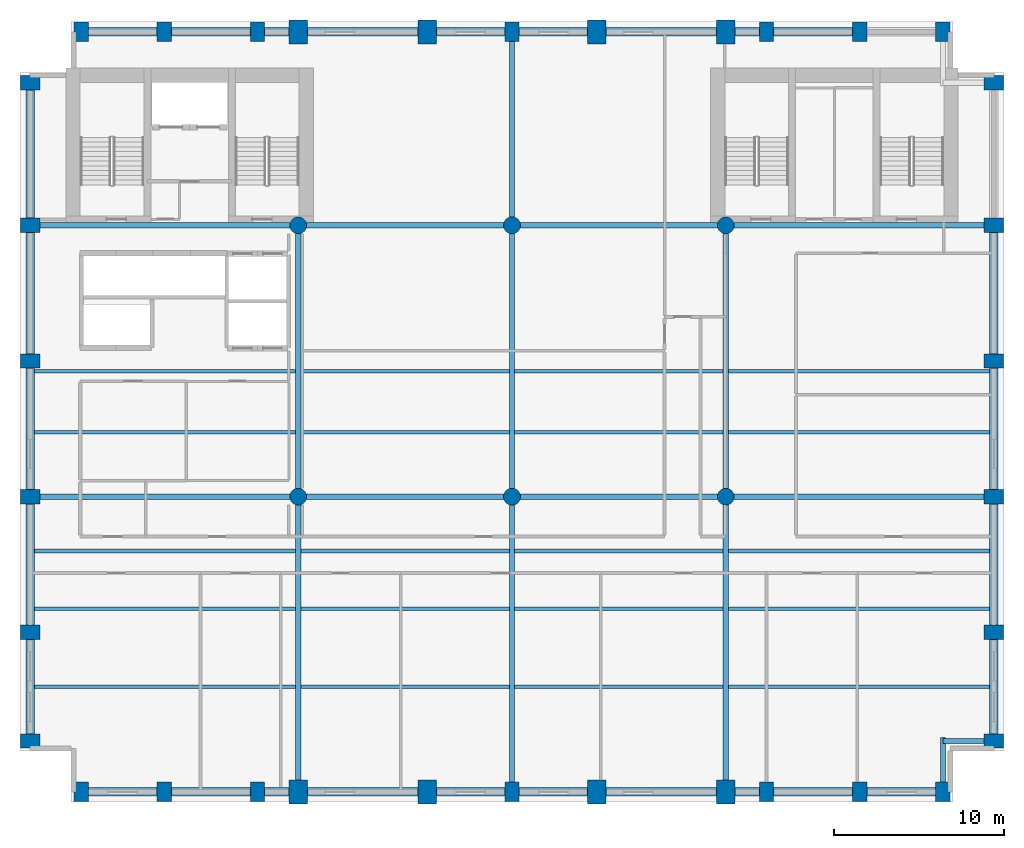
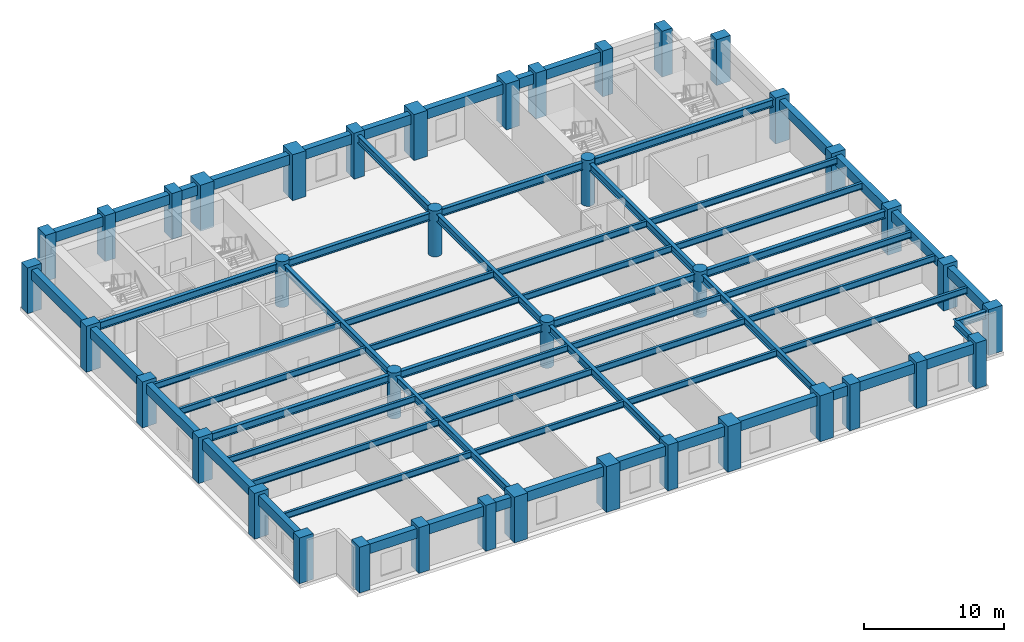
# One storey, part 1 of 8: 65 beams, 40 columns.
"""IFC4 building model written with IfcOpenShell, lengths in metres."""

from ifc_helpers import new_model, si_unit, direction, frame, origin, origin_2d, place, context, subcontext, project, spatial, rectangle, circle, i_section, extrude, material, material_profile, profile_set, type_object, element, save


model = new_model("IFC4")

# Units and contexts
model_context = context("Model", 3, precision=1e-05, world=origin(), true_north=direction((0.0, 1.0)))
body_context = subcontext(model_context, "Body", "Model", "MODEL_VIEW")
ifc_project = project(units=[si_unit("LENGTHUNIT", "METRE"), si_unit("AREAUNIT", "SQUARE_METRE"), si_unit("VOLUMEUNIT", "CUBIC_METRE"), si_unit("PLANEANGLEUNIT", "RADIAN"), si_unit("MASSUNIT", "GRAM", prefix="KILO")], contexts=[model_context])

# Site, building, storey
site_placement = place(None, origin())
site = spatial("IfcSite", under=ifc_project, at=site_placement, CompositionType="ELEMENT")
building_placement = place(site_placement, origin())
building = spatial("IfcBuilding", under=site, at=building_placement, Name="Sulina Concourse Tower", CompositionType="ELEMENT")
storey_placement = place(building_placement, frame((0.0, 0.0, 128.60009765625)))
storey = spatial("IfcBuildingStorey", under=building, at=storey_placement, Name="L31", CompositionType="ELEMENT", Elevation=128.60009765625)

# Columns
ifc_material_1 = material(Name="Concrete C60/75", Category="concrete")
ifc_material_profile_1 = material_profile(ifc_material_1, circle(Radius=0.5, at=origin_2d()), Name="RC D1000")
ifc_profile_set_1 = profile_set([ifc_material_profile_1], Name="Concrete C60/75")
column_type_1 = type_object("IfcColumnType", Name="Lower Interior Circular Column D1000", PredefinedType="COLUMN", material=ifc_profile_set_1)
for number, where, z_axis, x_axis, name in (
    (1, (16.39990234375, 18.0, 0.0), (0.0, 0.0, 1.0), (1.0, 0.0, 0.0), "L31 structural column IC-M-164"),
    (2, (16.39990234375, 34.0, 0.0), (0.0, 0.0, 1.0), (1.0, 0.0, 0.0), "L31 structural column IC-N-164"),
    (3, (29.0, 18.0, 0.0), (0.0, 0.0, 1.0), (1.0, 0.0, 0.0), "L31 structural column IC-M-290"),
    (4, (29.0, 34.0, 0.0), (0.0, 0.0, 1.0), (1.0, 0.0, 0.0), "L31 structural column IC-N-290"),
    (5, (41.60009765625, 18.0, 0.0), (0.0, 0.0, 1.0), (1.0, 0.0, 0.0), "L31 structural column IC-M-416"),
    (6, (41.60009765625, 34.0, 0.0), (0.0, 0.0, 1.0), (1.0, 0.0, 0.0), "L31 structural column IC-N-416"),
):
    element("IfcColumn", number, at=place(storey_placement, frame(where, z_axis=z_axis, x_axis=x_axis)), inside=storey, type_object=column_type_1, Name=name, PredefinedType="COLUMN", context=body_context, shape_type="SweptSolid", body=[
        extrude(circle(Radius=0.5, at=origin_2d()), origin(), (0.0, 0.0, 1.0), 4.0),
    ])
ifc_material_2 = material(Name="Concrete C60/75", Category="concrete")
ifc_material_profile_2 = material_profile(ifc_material_2, rectangle(XDim=1.10009765625, YDim=1.39990234375, at=origin_2d()), Name="RC 1100x1400")
ifc_profile_set_2 = profile_set([ifc_material_profile_2], Name="Concrete C60/75")
column_type_2 = type_object("IfcColumnType", Name="Mid-Rise Portal Column 1100x1400", PredefinedType="COLUMN", material=ifc_profile_set_2)
for number, where, z_axis, x_axis, name in (
    (7, (16.39990234375, 0.60009765625, 0.0), (0.0, 0.0, 1.0), (1.0, 0.0, 0.0), "L31 structural column TP-S-164"),
    (8, (16.39990234375, 45.39990234375, 0.0), (0.0, 0.0, 1.0), (1.0, 0.0, 0.0), "L31 structural column TP-N-164"),
    (9, (24.0, 0.60009765625, 0.0), (0.0, 0.0, 1.0), (1.0, 0.0, 0.0), "L31 structural column TP-S-240"),
    (10, (24.0, 45.39990234375, 0.0), (0.0, 0.0, 1.0), (1.0, 0.0, 0.0), "L31 structural column TP-N-240"),
    (11, (34.0, 0.60009765625, 0.0), (0.0, 0.0, 1.0), (1.0, 0.0, 0.0), "L31 structural column TP-S-340"),
    (12, (34.0, 45.39990234375, 0.0), (0.0, 0.0, 1.0), (1.0, 0.0, 0.0), "L31 structural column TP-N-340"),
    (13, (41.60009765625, 0.60009765625, 0.0), (0.0, 0.0, 1.0), (1.0, 0.0, 0.0), "L31 structural column TP-S-416"),
    (14, (41.60009765625, 45.39990234375, 0.0), (0.0, 0.0, 1.0), (1.0, 0.0, 0.0), "L31 structural column TP-N-416"),
):
    element("IfcColumn", number, at=place(storey_placement, frame(where, z_axis=z_axis, x_axis=x_axis)), inside=storey, type_object=column_type_2, Name=name, PredefinedType="COLUMN", context=body_context, shape_type="SweptSolid", body=[
        extrude(rectangle(XDim=1.10009765625, YDim=1.39990234375, at=origin_2d()), origin(), (0.0, 0.0, 1.0), 4.0),
    ])
ifc_material_3 = material(Name="Precast concrete C60/75", Category="concrete")
ifc_material_profile_3 = material_profile(ifc_material_3, rectangle(XDim=0.85009765625, YDim=1.14990234375, at=origin_2d()), Name="PC 850x1150")
ifc_profile_set_3 = profile_set([ifc_material_profile_3], Name="Precast concrete C60/75")
column_type_3 = type_object("IfcColumnType", Name="Precast Tube Pier Zone 2 850x1150", PredefinedType="COLUMN", material=ifc_profile_set_3)
for number, where, z_axis, x_axis, name in (
    (15, (3.60009765625, 0.60009765625, 0.0), (0.0, 0.0, 1.0), (1.0, 0.0, 0.0), "L31 structural column TP-S-36"),
    (16, (3.60009765625, 45.39990234375, 0.0), (0.0, 0.0, 1.0), (1.0, 0.0, 0.0), "L31 structural column TP-N-36"),
    (17, (8.5, 0.60009765625, 0.0), (0.0, 0.0, 1.0), (1.0, 0.0, 0.0), "L31 structural column TP-S-85"),
    (18, (8.5, 45.39990234375, 0.0), (0.0, 0.0, 1.0), (1.0, 0.0, 0.0), "L31 structural column TP-N-85"),
    (19, (14.0, 0.60009765625, 0.0), (0.0, 0.0, 1.0), (1.0, 0.0, 0.0), "L31 structural column TP-S-140"),
    (20, (14.0, 45.39990234375, 0.0), (0.0, 0.0, 1.0), (1.0, 0.0, 0.0), "L31 structural column TP-N-140"),
    (21, (29.0, 0.60009765625, 0.0), (0.0, 0.0, 1.0), (1.0, 0.0, 0.0), "L31 structural column TP-S-290"),
    (22, (29.0, 45.39990234375, 0.0), (0.0, 0.0, 1.0), (1.0, 0.0, 0.0), "L31 structural column TP-N-290"),
    (23, (44.0, 0.60009765625, 0.0), (0.0, 0.0, 1.0), (1.0, 0.0, 0.0), "L31 structural column TP-S-440"),
    (24, (44.0, 45.39990234375, 0.0), (0.0, 0.0, 1.0), (1.0, 0.0, 0.0), "L31 structural column TP-N-440"),
    (25, (49.5, 0.60009765625, 0.0), (0.0, 0.0, 1.0), (1.0, 0.0, 0.0), "L31 structural column TP-S-495"),
    (26, (49.5, 45.39990234375, 0.0), (0.0, 0.0, 1.0), (1.0, 0.0, 0.0), "L31 structural column TP-N-495"),
    (27, (54.39990234375, 0.60009765625, 0.0), (0.0, 0.0, 1.0), (1.0, 0.0, 0.0), "L31 structural column TP-S-544"),
    (28, (54.39990234375, 45.39990234375, 0.0), (0.0, 0.0, 1.0), (1.0, 0.0, 0.0), "L31 structural column TP-N-544"),
    (29, (0.60009765625, 3.60009765625, 0.0), (0.0, 0.0, 1.0), (0.0, 1.0, 0.0), "L31 structural column TP-W-36"),
    (30, (57.39990234375, 3.60009765625, 0.0), (0.0, 0.0, 1.0), (0.0, 1.0, 0.0), "L31 structural column TP-E-36"),
    (31, (0.60009765625, 10.0, 0.0), (0.0, 0.0, 1.0), (0.0, 1.0, 0.0), "L31 structural column TP-W-100"),
    (32, (57.39990234375, 10.0, 0.0), (0.0, 0.0, 1.0), (0.0, 1.0, 0.0), "L31 structural column TP-E-100"),
    (33, (0.60009765625, 18.0, 0.0), (0.0, 0.0, 1.0), (0.0, 1.0, 0.0), "L31 structural column TP-W-180"),
    (34, (57.39990234375, 18.0, 0.0), (0.0, 0.0, 1.0), (0.0, 1.0, 0.0), "L31 structural column TP-E-180"),
    (35, (0.60009765625, 26.0, 0.0), (0.0, 0.0, 1.0), (0.0, 1.0, 0.0), "L31 structural column TP-W-260"),
    (36, (57.39990234375, 26.0, 0.0), (0.0, 0.0, 1.0), (0.0, 1.0, 0.0), "L31 structural column TP-E-260"),
    (37, (0.60009765625, 34.0, 0.0), (0.0, 0.0, 1.0), (0.0, 1.0, 0.0), "L31 structural column TP-W-340"),
    (38, (57.39990234375, 34.0, 0.0), (0.0, 0.0, 1.0), (0.0, 1.0, 0.0), "L31 structural column TP-E-340"),
    (39, (0.60009765625, 42.39990234375, 0.0), (0.0, 0.0, 1.0), (0.0, 1.0, 0.0), "L31 structural column TP-W-424"),
    (40, (57.39990234375, 42.39990234375, 0.0), (0.0, 0.0, 1.0), (0.0, 1.0, 0.0), "L31 structural column TP-E-424"),
):
    element("IfcColumn", number, at=place(storey_placement, frame(where, z_axis=z_axis, x_axis=x_axis)), inside=storey, type_object=column_type_3, Name=name, PredefinedType="COLUMN", context=body_context, shape_type="SweptSolid", body=[
        extrude(rectangle(XDim=0.85009765625, YDim=1.14990234375, at=origin_2d()), origin(), (0.0, 0.0, 1.0), 4.0),
    ])

# Beams
ifc_material_4 = material(Name="Steel S355", Category="steel")
ifc_material_profile_4 = material_profile(ifc_material_4, i_section(OverallWidth=0.2099609375, OverallDepth=0.550048828125, WebThickness=0.010986328125, FlangeThickness=0.01708984375, at=origin_2d()), Name="IPE 550")
ifc_profile_set_4 = profile_set([ifc_material_profile_4], Name="Steel S355")
beam_type_1 = type_object("IfcBeamType", Name="Composite Floor Joist IPE550", PredefinedType="JOIST", material=ifc_profile_set_4)
beam_1_placement = place(storey_placement, frame((0.85009765625, 6.800048828125, 3.449951171875), z_axis=(1.0, 0.0, 0.0), x_axis=(0.0, 1.0, 0.0)))
element("IfcBeam", 41, at=beam_1_placement, inside=storey, type_object=beam_type_1, Name="FJ-J06-1-L31", PredefinedType="JOIST", context=body_context, shape_type="SweptSolid", body=[
    extrude(i_section(OverallWidth=0.2099609375, OverallDepth=0.550048828125, WebThickness=0.010986328125, FlangeThickness=0.01708984375, at=origin_2d()), origin(), (0.0, 0.0, 1.0), 15.39990234375),
])
for number, where, z_axis, x_axis, name in (
    (42, (16.550048828125, 6.800048828125, 3.449951171875), (1.0, 0.0, 0.0), (0.0, 1.0, 0.0), "FJ-J06-2-L31"),
    (43, (29.14990234375, 6.800048828125, 3.449951171875), (1.0, 0.0, 0.0), (0.0, 1.0, 0.0), "FJ-J06-3-L31"),
):
    element("IfcBeam", number, at=place(storey_placement, frame(where, z_axis=z_axis, x_axis=x_axis)), inside=storey, type_object=beam_type_1, Name=name, PredefinedType="JOIST", context=body_context, shape_type="SweptSolid", body=[
        extrude(i_section(OverallWidth=0.2099609375, OverallDepth=0.550048828125, WebThickness=0.010986328125, FlangeThickness=0.01708984375, at=origin_2d()), origin(), (0.0, 0.0, 1.0), 12.300048828125),
    ])
for number, where, z_axis, x_axis, name in (
    (44, (41.75, 6.800048828125, 3.449951171875), (1.0, 0.0, 0.0), (0.0, 1.0, 0.0), "FJ-J06-4-L31"),
    (45, (0.85009765625, 11.39990234375, 3.449951171875), (1.0, 0.0, 0.0), (0.0, 1.0, 0.0), "FJ-J11-1-L31"),
):
    element("IfcBeam", number, at=place(storey_placement, frame(where, z_axis=z_axis, x_axis=x_axis)), inside=storey, type_object=beam_type_1, Name=name, PredefinedType="JOIST", context=body_context, shape_type="SweptSolid", body=[
        extrude(i_section(OverallWidth=0.2099609375, OverallDepth=0.550048828125, WebThickness=0.010986328125, FlangeThickness=0.01708984375, at=origin_2d()), origin(), (0.0, 0.0, 1.0), 15.39990234375),
    ])
for number, where, z_axis, x_axis, name in (
    (46, (16.550048828125, 11.39990234375, 3.449951171875), (1.0, 0.0, 0.0), (0.0, 1.0, 0.0), "FJ-J11-2-L31"),
    (47, (29.14990234375, 11.39990234375, 3.449951171875), (1.0, 0.0, 0.0), (0.0, 1.0, 0.0), "FJ-J11-3-L31"),
):
    element("IfcBeam", number, at=place(storey_placement, frame(where, z_axis=z_axis, x_axis=x_axis)), inside=storey, type_object=beam_type_1, Name=name, PredefinedType="JOIST", context=body_context, shape_type="SweptSolid", body=[
        extrude(i_section(OverallWidth=0.2099609375, OverallDepth=0.550048828125, WebThickness=0.010986328125, FlangeThickness=0.01708984375, at=origin_2d()), origin(), (0.0, 0.0, 1.0), 12.300048828125),
    ])
for number, where, z_axis, x_axis, name in (
    (48, (41.75, 11.39990234375, 3.449951171875), (1.0, 0.0, 0.0), (0.0, 1.0, 0.0), "FJ-J11-4-L31"),
    (49, (0.85009765625, 14.800048828125, 3.449951171875), (1.0, 0.0, 0.0), (0.0, 1.0, 0.0), "FJ-J15-1-L31"),
):
    element("IfcBeam", number, at=place(storey_placement, frame(where, z_axis=z_axis, x_axis=x_axis)), inside=storey, type_object=beam_type_1, Name=name, PredefinedType="JOIST", context=body_context, shape_type="SweptSolid", body=[
        extrude(i_section(OverallWidth=0.2099609375, OverallDepth=0.550048828125, WebThickness=0.010986328125, FlangeThickness=0.01708984375, at=origin_2d()), origin(), (0.0, 0.0, 1.0), 15.39990234375),
    ])
for number, where, z_axis, x_axis, name in (
    (50, (16.550048828125, 14.800048828125, 3.449951171875), (1.0, 0.0, 0.0), (0.0, 1.0, 0.0), "FJ-J15-2-L31"),
    (51, (29.14990234375, 14.800048828125, 3.449951171875), (1.0, 0.0, 0.0), (0.0, 1.0, 0.0), "FJ-J15-3-L31"),
):
    element("IfcBeam", number, at=place(storey_placement, frame(where, z_axis=z_axis, x_axis=x_axis)), inside=storey, type_object=beam_type_1, Name=name, PredefinedType="JOIST", context=body_context, shape_type="SweptSolid", body=[
        extrude(i_section(OverallWidth=0.2099609375, OverallDepth=0.550048828125, WebThickness=0.010986328125, FlangeThickness=0.01708984375, at=origin_2d()), origin(), (0.0, 0.0, 1.0), 12.300048828125),
    ])
for number, where, z_axis, x_axis, name in (
    (52, (41.75, 14.800048828125, 3.449951171875), (1.0, 0.0, 0.0), (0.0, 1.0, 0.0), "FJ-J15-4-L31"),
    (53, (0.85009765625, 21.800048828125, 3.449951171875), (1.0, 0.0, 0.0), (0.0, 1.0, 0.0), "FJ-J22-1-L31"),
):
    element("IfcBeam", number, at=place(storey_placement, frame(where, z_axis=z_axis, x_axis=x_axis)), inside=storey, type_object=beam_type_1, Name=name, PredefinedType="JOIST", context=body_context, shape_type="SweptSolid", body=[
        extrude(i_section(OverallWidth=0.2099609375, OverallDepth=0.550048828125, WebThickness=0.010986328125, FlangeThickness=0.01708984375, at=origin_2d()), origin(), (0.0, 0.0, 1.0), 15.39990234375),
    ])
for number, where, z_axis, x_axis, name in (
    (54, (16.550048828125, 21.800048828125, 3.449951171875), (1.0, 0.0, 0.0), (0.0, 1.0, 0.0), "FJ-J22-2-L31"),
    (55, (29.14990234375, 21.800048828125, 3.449951171875), (1.0, 0.0, 0.0), (0.0, 1.0, 0.0), "FJ-J22-3-L31"),
):
    element("IfcBeam", number, at=place(storey_placement, frame(where, z_axis=z_axis, x_axis=x_axis)), inside=storey, type_object=beam_type_1, Name=name, PredefinedType="JOIST", context=body_context, shape_type="SweptSolid", body=[
        extrude(i_section(OverallWidth=0.2099609375, OverallDepth=0.550048828125, WebThickness=0.010986328125, FlangeThickness=0.01708984375, at=origin_2d()), origin(), (0.0, 0.0, 1.0), 12.300048828125),
    ])
for number, where, z_axis, x_axis, name in (
    (56, (41.75, 21.800048828125, 3.449951171875), (1.0, 0.0, 0.0), (0.0, 1.0, 0.0), "FJ-J22-4-L31"),
    (57, (0.85009765625, 25.39990234375, 3.449951171875), (1.0, 0.0, 0.0), (0.0, 1.0, 0.0), "FJ-J25-1-L31"),
):
    element("IfcBeam", number, at=place(storey_placement, frame(where, z_axis=z_axis, x_axis=x_axis)), inside=storey, type_object=beam_type_1, Name=name, PredefinedType="JOIST", context=body_context, shape_type="SweptSolid", body=[
        extrude(i_section(OverallWidth=0.2099609375, OverallDepth=0.550048828125, WebThickness=0.010986328125, FlangeThickness=0.01708984375, at=origin_2d()), origin(), (0.0, 0.0, 1.0), 15.39990234375),
    ])
for number, where, z_axis, x_axis, name in (
    (58, (16.550048828125, 25.39990234375, 3.449951171875), (1.0, 0.0, 0.0), (0.0, 1.0, 0.0), "FJ-J25-2-L31"),
    (59, (29.14990234375, 25.39990234375, 3.449951171875), (1.0, 0.0, 0.0), (0.0, 1.0, 0.0), "FJ-J25-3-L31"),
):
    element("IfcBeam", number, at=place(storey_placement, frame(where, z_axis=z_axis, x_axis=x_axis)), inside=storey, type_object=beam_type_1, Name=name, PredefinedType="JOIST", context=body_context, shape_type="SweptSolid", body=[
        extrude(i_section(OverallWidth=0.2099609375, OverallDepth=0.550048828125, WebThickness=0.010986328125, FlangeThickness=0.01708984375, at=origin_2d()), origin(), (0.0, 0.0, 1.0), 12.300048828125),
    ])
beam_2_placement = place(storey_placement, frame((41.75, 25.39990234375, 3.449951171875), z_axis=(1.0, 0.0, 0.0), x_axis=(0.0, 1.0, 0.0)))
element("IfcBeam", 60, at=beam_2_placement, inside=storey, type_object=beam_type_1, Name="FJ-J25-4-L31", PredefinedType="JOIST", context=body_context, shape_type="SweptSolid", body=[
    extrude(i_section(OverallWidth=0.2099609375, OverallDepth=0.550048828125, WebThickness=0.010986328125, FlangeThickness=0.01708984375, at=origin_2d()), origin(), (0.0, 0.0, 1.0), 15.39990234375),
])
ifc_material_5 = material(Name="Steel S355", Category="steel")
ifc_material_profile_5 = material_profile(ifc_material_5, i_section(OverallWidth=0.300048828125, OverallDepth=0.64990234375, WebThickness=0.01611328125, FlangeThickness=0.031005859375, at=origin_2d()), Name="HE 650 B")
ifc_profile_set_5 = profile_set([ifc_material_profile_5], Name="Steel S355")
beam_type_2 = type_object("IfcBeamType", Name="Floor Primary Girder Zone 2 HE650B", PredefinedType="BEAM", material=ifc_profile_set_5)
beam_3_placement = place(storey_placement, frame((54.39990234375, 3.60009765625, 3.39990234375), z_axis=(1.0, 0.0, 0.0), x_axis=(0.0, 1.0, 0.0)))
element("IfcBeam", 61, at=beam_3_placement, inside=storey, type_object=beam_type_2, Name="TIE-SE-L31", PredefinedType="BEAM", context=body_context, shape_type="SweptSolid", body=[
    extrude(i_section(OverallWidth=0.300048828125, OverallDepth=0.64990234375, WebThickness=0.01611328125, FlangeThickness=0.031005859375, at=origin_2d()), origin(), (0.0, 0.0, 1.0), 2.59521484375),
])
beam_4_placement = place(storey_placement, frame((54.39990234375, 1.0048828125, 3.39990234375), z_axis=(0.0, 1.0, 0.0), x_axis=(-1.0, 0.0, 0.0)))
element("IfcBeam", 62, at=beam_4_placement, inside=storey, type_object=beam_type_2, Name="TIE-SES-L31", PredefinedType="BEAM", context=body_context, shape_type="SweptSolid", body=[
    extrude(i_section(OverallWidth=0.300048828125, OverallDepth=0.64990234375, WebThickness=0.01611328125, FlangeThickness=0.031005859375, at=origin_2d()), origin(), (0.0, 0.0, 1.0), 2.795166015625),
])
beam_5_placement = place(storey_placement, frame((1.0048828125, 18.0, 3.39990234375), z_axis=(1.0, 0.0, 0.0), x_axis=(0.0, 1.0, 0.0)))
element("IfcBeam", 63, at=beam_5_placement, inside=storey, type_object=beam_type_2, Name="FG-EW1-L31", PredefinedType="BEAM", context=body_context, shape_type="SweptSolid", body=[
    extrude(i_section(OverallWidth=0.300048828125, OverallDepth=0.64990234375, WebThickness=0.01611328125, FlangeThickness=0.031005859375, at=origin_2d()), origin(), (0.0, 0.0, 1.0), 14.9150390625),
])
for number, where, z_axis, x_axis, name in (
    (64, (16.8798828125, 18.0, 3.39990234375), (1.0, 0.0, 0.0), (0.0, 1.0, 0.0), "FG-EW2-L31"),
    (65, (29.47998046875, 18.0, 3.39990234375), (1.0, 0.0, 0.0), (0.0, 1.0, 0.0), "FG-EW3-L31"),
):
    element("IfcBeam", number, at=place(storey_placement, frame(where, z_axis=z_axis, x_axis=x_axis)), inside=storey, type_object=beam_type_2, Name=name, PredefinedType="BEAM", context=body_context, shape_type="SweptSolid", body=[
        extrude(i_section(OverallWidth=0.300048828125, OverallDepth=0.64990234375, WebThickness=0.01611328125, FlangeThickness=0.031005859375, at=origin_2d()), origin(), (0.0, 0.0, 1.0), 11.64013671875),
    ])
for number, where, z_axis, x_axis, name in (
    (66, (42.080078125, 18.0, 3.39990234375), (1.0, 0.0, 0.0), (0.0, 1.0, 0.0), "FG-EW4-L31"),
    (67, (1.0048828125, 34.0, 3.39990234375), (1.0, 0.0, 0.0), (0.0, 1.0, 0.0), "FG-EWN1-L31"),
):
    element("IfcBeam", number, at=place(storey_placement, frame(where, z_axis=z_axis, x_axis=x_axis)), inside=storey, type_object=beam_type_2, Name=name, PredefinedType="BEAM", context=body_context, shape_type="SweptSolid", body=[
        extrude(i_section(OverallWidth=0.300048828125, OverallDepth=0.64990234375, WebThickness=0.01611328125, FlangeThickness=0.031005859375, at=origin_2d()), origin(), (0.0, 0.0, 1.0), 14.9150390625),
    ])
for number, where, z_axis, x_axis, name in (
    (68, (16.8798828125, 34.0, 3.39990234375), (1.0, 0.0, 0.0), (0.0, 1.0, 0.0), "FG-EWN2-L31"),
    (69, (29.47998046875, 34.0, 3.39990234375), (1.0, 0.0, 0.0), (0.0, 1.0, 0.0), "FG-EWN3-L31"),
):
    element("IfcBeam", number, at=place(storey_placement, frame(where, z_axis=z_axis, x_axis=x_axis)), inside=storey, type_object=beam_type_2, Name=name, PredefinedType="BEAM", context=body_context, shape_type="SweptSolid", body=[
        extrude(i_section(OverallWidth=0.300048828125, OverallDepth=0.64990234375, WebThickness=0.01611328125, FlangeThickness=0.031005859375, at=origin_2d()), origin(), (0.0, 0.0, 1.0), 11.64013671875),
    ])
beam_6_placement = place(storey_placement, frame((42.080078125, 34.0, 3.39990234375), z_axis=(1.0, 0.0, 0.0), x_axis=(0.0, 1.0, 0.0)))
element("IfcBeam", 70, at=beam_6_placement, inside=storey, type_object=beam_type_2, Name="FG-EWN4-L31", PredefinedType="BEAM", context=body_context, shape_type="SweptSolid", body=[
    extrude(i_section(OverallWidth=0.300048828125, OverallDepth=0.64990234375, WebThickness=0.01611328125, FlangeThickness=0.031005859375, at=origin_2d()), origin(), (0.0, 0.0, 1.0), 14.9150390625),
])
beam_7_placement = place(storey_placement, frame((16.39990234375, 1.1298828125, 3.39990234375), z_axis=(0.0, 1.0, 0.0), x_axis=(-1.0, 0.0, 0.0)))
element("IfcBeam", 71, at=beam_7_placement, inside=storey, type_object=beam_type_2, Name="FG-NSA-16-L31", PredefinedType="BEAM", context=body_context, shape_type="SweptSolid", body=[
    extrude(i_section(OverallWidth=0.300048828125, OverallDepth=0.64990234375, WebThickness=0.01611328125, FlangeThickness=0.031005859375, at=origin_2d()), origin(), (0.0, 0.0, 1.0), 16.39013671875),
])
beam_8_placement = place(storey_placement, frame((16.39990234375, 18.47998046875, 3.39990234375), z_axis=(0.0, 1.0, 0.0), x_axis=(-1.0, 0.0, 0.0)))
element("IfcBeam", 72, at=beam_8_placement, inside=storey, type_object=beam_type_2, Name="FG-NSB-16-L31", PredefinedType="BEAM", context=body_context, shape_type="SweptSolid", body=[
    extrude(i_section(OverallWidth=0.300048828125, OverallDepth=0.64990234375, WebThickness=0.01611328125, FlangeThickness=0.031005859375, at=origin_2d()), origin(), (0.0, 0.0, 1.0), 15.0400390625),
])
beam_9_placement = place(storey_placement, frame((29.0, 1.0048828125, 3.39990234375), z_axis=(0.0, 1.0, 0.0), x_axis=(-1.0, 0.0, 0.0)))
element("IfcBeam", 73, at=beam_9_placement, inside=storey, type_object=beam_type_2, Name="FG-NSA-29-L31", PredefinedType="BEAM", context=body_context, shape_type="SweptSolid", body=[
    extrude(i_section(OverallWidth=0.300048828125, OverallDepth=0.64990234375, WebThickness=0.01611328125, FlangeThickness=0.031005859375, at=origin_2d()), origin(), (0.0, 0.0, 1.0), 16.51513671875),
])
beam_10_placement = place(storey_placement, frame((29.0, 18.47998046875, 3.39990234375), z_axis=(0.0, 1.0, 0.0), x_axis=(-1.0, 0.0, 0.0)))
element("IfcBeam", 74, at=beam_10_placement, inside=storey, type_object=beam_type_2, Name="FG-NSB-29-L31", PredefinedType="BEAM", context=body_context, shape_type="SweptSolid", body=[
    extrude(i_section(OverallWidth=0.300048828125, OverallDepth=0.64990234375, WebThickness=0.01611328125, FlangeThickness=0.031005859375, at=origin_2d()), origin(), (0.0, 0.0, 1.0), 15.0400390625),
])
beam_11_placement = place(storey_placement, frame((29.0, 34.47998046875, 3.39990234375), z_axis=(0.0, 1.0, 0.0), x_axis=(-1.0, 0.0, 0.0)))
element("IfcBeam", 75, at=beam_11_placement, inside=storey, type_object=beam_type_2, Name="FG-NSC-29-L31", PredefinedType="BEAM", context=body_context, shape_type="SweptSolid", body=[
    extrude(i_section(OverallWidth=0.300048828125, OverallDepth=0.64990234375, WebThickness=0.01611328125, FlangeThickness=0.031005859375, at=origin_2d()), origin(), (0.0, 0.0, 1.0), 10.51513671875),
])
beam_12_placement = place(storey_placement, frame((41.60009765625, 1.1298828125, 3.39990234375), z_axis=(0.0, 1.0, 0.0), x_axis=(-1.0, 0.0, 0.0)))
element("IfcBeam", 76, at=beam_12_placement, inside=storey, type_object=beam_type_2, Name="FG-NSA-41-L31", PredefinedType="BEAM", context=body_context, shape_type="SweptSolid", body=[
    extrude(i_section(OverallWidth=0.300048828125, OverallDepth=0.64990234375, WebThickness=0.01611328125, FlangeThickness=0.031005859375, at=origin_2d()), origin(), (0.0, 0.0, 1.0), 16.39013671875),
])
beam_13_placement = place(storey_placement, frame((41.60009765625, 18.47998046875, 3.39990234375), z_axis=(0.0, 1.0, 0.0), x_axis=(-1.0, 0.0, 0.0)))
element("IfcBeam", 77, at=beam_13_placement, inside=storey, type_object=beam_type_2, Name="FG-NSB-41-L31", PredefinedType="BEAM", context=body_context, shape_type="SweptSolid", body=[
    extrude(i_section(OverallWidth=0.300048828125, OverallDepth=0.64990234375, WebThickness=0.01611328125, FlangeThickness=0.031005859375, at=origin_2d()), origin(), (0.0, 0.0, 1.0), 15.0400390625),
])
ifc_material_6 = material(Name="Precast concrete C50/60", Category="concrete")
ifc_material_profile_6 = material_profile(ifc_material_6, rectangle(XDim=0.5, YDim=0.85009765625, at=origin_2d()), Name="RC 500x850")
ifc_profile_set_6 = profile_set([ifc_material_profile_6], Name="Precast concrete C50/60")
beam_type_3 = type_object("IfcBeamType", Name="Lower Precast Spandrel Edge Beam 500x850", PredefinedType="BEAM", material=ifc_profile_set_6)
beam_14_placement = place(storey_placement, frame((4.0048828125, 0.60009765625, 3.2998046875), z_axis=(1.0, 0.0, 0.0), x_axis=(0.0, 1.0, 0.0)))
element("IfcBeam", 78, at=beam_14_placement, inside=storey, type_object=beam_type_3, Name="SP-S1-L31", PredefinedType="BEAM", context=body_context, shape_type="SweptSolid", body=[
    extrude(rectangle(XDim=0.5, YDim=0.85009765625, at=origin_2d()), origin(), (0.0, 0.0, 1.0), 4.090087890625),
])
beam_15_placement = place(storey_placement, frame((8.905029296875, 0.60009765625, 3.2998046875), z_axis=(1.0, 0.0, 0.0), x_axis=(0.0, 1.0, 0.0)))
element("IfcBeam", 79, at=beam_15_placement, inside=storey, type_object=beam_type_3, Name="SP-S2-L31", PredefinedType="BEAM", context=body_context, shape_type="SweptSolid", body=[
    extrude(rectangle(XDim=0.5, YDim=0.85009765625, at=origin_2d()), origin(), (0.0, 0.0, 1.0), 4.68994140625),
])
beam_16_placement = place(storey_placement, frame((14.405029296875, 0.60009765625, 3.2998046875), z_axis=(1.0, 0.0, 0.0), x_axis=(0.0, 1.0, 0.0)))
element("IfcBeam", 80, at=beam_16_placement, inside=storey, type_object=beam_type_3, Name="SP-S3-L31", PredefinedType="BEAM", context=body_context, shape_type="SweptSolid", body=[
    extrude(rectangle(XDim=0.5, YDim=0.85009765625, at=origin_2d()), origin(), (0.0, 0.0, 1.0), 1.465087890625),
])
beam_17_placement = place(storey_placement, frame((16.929931640625, 0.60009765625, 3.2998046875), z_axis=(1.0, 0.0, 0.0), x_axis=(0.0, 1.0, 0.0)))
element("IfcBeam", 81, at=beam_17_placement, inside=storey, type_object=beam_type_3, Name="SP-S4-L31", PredefinedType="BEAM", context=body_context, shape_type="SweptSolid", body=[
    extrude(rectangle(XDim=0.5, YDim=0.85009765625, at=origin_2d()), origin(), (0.0, 0.0, 1.0), 6.5400390625),
])
for number, where, z_axis, x_axis, name in (
    (82, (24.530029296875, 0.60009765625, 3.2998046875), (1.0, 0.0, 0.0), (0.0, 1.0, 0.0), "SP-S5-L31"),
    (83, (29.405029296875, 0.60009765625, 3.2998046875), (1.0, 0.0, 0.0), (0.0, 1.0, 0.0), "SP-S6-L31"),
):
    element("IfcBeam", number, at=place(storey_placement, frame(where, z_axis=z_axis, x_axis=x_axis)), inside=storey, type_object=beam_type_3, Name=name, PredefinedType="BEAM", context=body_context, shape_type="SweptSolid", body=[
        extrude(rectangle(XDim=0.5, YDim=0.85009765625, at=origin_2d()), origin(), (0.0, 0.0, 1.0), 4.06494140625),
    ])
beam_18_placement = place(storey_placement, frame((34.530029296875, 0.60009765625, 3.2998046875), z_axis=(1.0, 0.0, 0.0), x_axis=(0.0, 1.0, 0.0)))
element("IfcBeam", 84, at=beam_18_placement, inside=storey, type_object=beam_type_3, Name="SP-S7-L31", PredefinedType="BEAM", context=body_context, shape_type="SweptSolid", body=[
    extrude(rectangle(XDim=0.5, YDim=0.85009765625, at=origin_2d()), origin(), (0.0, 0.0, 1.0), 6.5400390625),
])
beam_19_placement = place(storey_placement, frame((42.1298828125, 0.60009765625, 3.2998046875), z_axis=(1.0, 0.0, 0.0), x_axis=(0.0, 1.0, 0.0)))
element("IfcBeam", 85, at=beam_19_placement, inside=storey, type_object=beam_type_3, Name="SP-S8-L31", PredefinedType="BEAM", context=body_context, shape_type="SweptSolid", body=[
    extrude(rectangle(XDim=0.5, YDim=0.85009765625, at=origin_2d()), origin(), (0.0, 0.0, 1.0), 1.465087890625),
])
beam_20_placement = place(storey_placement, frame((44.405029296875, 0.60009765625, 3.2998046875), z_axis=(1.0, 0.0, 0.0), x_axis=(0.0, 1.0, 0.0)))
element("IfcBeam", 86, at=beam_20_placement, inside=storey, type_object=beam_type_3, Name="SP-S9-L31", PredefinedType="BEAM", context=body_context, shape_type="SweptSolid", body=[
    extrude(rectangle(XDim=0.5, YDim=0.85009765625, at=origin_2d()), origin(), (0.0, 0.0, 1.0), 4.68994140625),
])
for number, where, z_axis, x_axis, name in (
    (87, (49.905029296875, 0.60009765625, 3.2998046875), (1.0, 0.0, 0.0), (0.0, 1.0, 0.0), "SP-S10-L31"),
    (88, (4.0048828125, 45.39990234375, 3.2998046875), (1.0, 0.0, 0.0), (0.0, 1.0, 0.0), "SP-N1-L31"),
):
    element("IfcBeam", number, at=place(storey_placement, frame(where, z_axis=z_axis, x_axis=x_axis)), inside=storey, type_object=beam_type_3, Name=name, PredefinedType="BEAM", context=body_context, shape_type="SweptSolid", body=[
        extrude(rectangle(XDim=0.5, YDim=0.85009765625, at=origin_2d()), origin(), (0.0, 0.0, 1.0), 4.090087890625),
    ])
beam_21_placement = place(storey_placement, frame((8.905029296875, 45.39990234375, 3.2998046875), z_axis=(1.0, 0.0, 0.0), x_axis=(0.0, 1.0, 0.0)))
element("IfcBeam", 89, at=beam_21_placement, inside=storey, type_object=beam_type_3, Name="SP-N2-L31", PredefinedType="BEAM", context=body_context, shape_type="SweptSolid", body=[
    extrude(rectangle(XDim=0.5, YDim=0.85009765625, at=origin_2d()), origin(), (0.0, 0.0, 1.0), 4.68994140625),
])
beam_22_placement = place(storey_placement, frame((14.405029296875, 45.39990234375, 3.2998046875), z_axis=(1.0, 0.0, 0.0), x_axis=(0.0, 1.0, 0.0)))
element("IfcBeam", 90, at=beam_22_placement, inside=storey, type_object=beam_type_3, Name="SP-N3-L31", PredefinedType="BEAM", context=body_context, shape_type="SweptSolid", body=[
    extrude(rectangle(XDim=0.5, YDim=0.85009765625, at=origin_2d()), origin(), (0.0, 0.0, 1.0), 1.465087890625),
])
beam_23_placement = place(storey_placement, frame((16.929931640625, 45.39990234375, 3.2998046875), z_axis=(1.0, 0.0, 0.0), x_axis=(0.0, 1.0, 0.0)))
element("IfcBeam", 91, at=beam_23_placement, inside=storey, type_object=beam_type_3, Name="SP-N4-L31", PredefinedType="BEAM", context=body_context, shape_type="SweptSolid", body=[
    extrude(rectangle(XDim=0.5, YDim=0.85009765625, at=origin_2d()), origin(), (0.0, 0.0, 1.0), 6.5400390625),
])
for number, where, z_axis, x_axis, name in (
    (92, (24.530029296875, 45.39990234375, 3.2998046875), (1.0, 0.0, 0.0), (0.0, 1.0, 0.0), "SP-N5-L31"),
    (93, (29.405029296875, 45.39990234375, 3.2998046875), (1.0, 0.0, 0.0), (0.0, 1.0, 0.0), "SP-N6-L31"),
):
    element("IfcBeam", number, at=place(storey_placement, frame(where, z_axis=z_axis, x_axis=x_axis)), inside=storey, type_object=beam_type_3, Name=name, PredefinedType="BEAM", context=body_context, shape_type="SweptSolid", body=[
        extrude(rectangle(XDim=0.5, YDim=0.85009765625, at=origin_2d()), origin(), (0.0, 0.0, 1.0), 4.06494140625),
    ])
beam_24_placement = place(storey_placement, frame((34.530029296875, 45.39990234375, 3.2998046875), z_axis=(1.0, 0.0, 0.0), x_axis=(0.0, 1.0, 0.0)))
element("IfcBeam", 94, at=beam_24_placement, inside=storey, type_object=beam_type_3, Name="SP-N7-L31", PredefinedType="BEAM", context=body_context, shape_type="SweptSolid", body=[
    extrude(rectangle(XDim=0.5, YDim=0.85009765625, at=origin_2d()), origin(), (0.0, 0.0, 1.0), 6.5400390625),
])
beam_25_placement = place(storey_placement, frame((42.1298828125, 45.39990234375, 3.2998046875), z_axis=(1.0, 0.0, 0.0), x_axis=(0.0, 1.0, 0.0)))
element("IfcBeam", 95, at=beam_25_placement, inside=storey, type_object=beam_type_3, Name="SP-N8-L31", PredefinedType="BEAM", context=body_context, shape_type="SweptSolid", body=[
    extrude(rectangle(XDim=0.5, YDim=0.85009765625, at=origin_2d()), origin(), (0.0, 0.0, 1.0), 1.465087890625),
])
beam_26_placement = place(storey_placement, frame((44.405029296875, 45.39990234375, 3.2998046875), z_axis=(1.0, 0.0, 0.0), x_axis=(0.0, 1.0, 0.0)))
element("IfcBeam", 96, at=beam_26_placement, inside=storey, type_object=beam_type_3, Name="SP-N9-L31", PredefinedType="BEAM", context=body_context, shape_type="SweptSolid", body=[
    extrude(rectangle(XDim=0.5, YDim=0.85009765625, at=origin_2d()), origin(), (0.0, 0.0, 1.0), 4.68994140625),
])
beam_27_placement = place(storey_placement, frame((0.60009765625, 4.0048828125, 3.2998046875), z_axis=(0.0, 1.0, 0.0), x_axis=(-1.0, 0.0, 0.0)))
element("IfcBeam", 97, at=beam_27_placement, inside=storey, type_object=beam_type_3, Name="SP-W1-L31", PredefinedType="BEAM", context=body_context, shape_type="SweptSolid", body=[
    extrude(rectangle(XDim=0.5, YDim=0.85009765625, at=origin_2d()), origin(), (0.0, 0.0, 1.0), 5.590087890625),
])
for number, where, z_axis, x_axis, name in (
    (98, (0.60009765625, 10.405029296875, 3.2998046875), (0.0, 1.0, 0.0), (-1.0, 0.0, 0.0), "SP-W2-L31"),
    (99, (0.60009765625, 18.405029296875, 3.2998046875), (0.0, 1.0, 0.0), (-1.0, 0.0, 0.0), "SP-W3-L31"),
    (100, (0.60009765625, 26.405029296875, 3.2998046875), (0.0, 1.0, 0.0), (-1.0, 0.0, 0.0), "SP-W4-L31"),
):
    element("IfcBeam", number, at=place(storey_placement, frame(where, z_axis=z_axis, x_axis=x_axis)), inside=storey, type_object=beam_type_3, Name=name, PredefinedType="BEAM", context=body_context, shape_type="SweptSolid", body=[
        extrude(rectangle(XDim=0.5, YDim=0.85009765625, at=origin_2d()), origin(), (0.0, 0.0, 1.0), 7.18994140625),
    ])
beam_28_placement = place(storey_placement, frame((0.60009765625, 34.405029296875, 3.2998046875), z_axis=(0.0, 1.0, 0.0), x_axis=(-1.0, 0.0, 0.0)))
element("IfcBeam", 101, at=beam_28_placement, inside=storey, type_object=beam_type_3, Name="SP-W5-L31", PredefinedType="BEAM", context=body_context, shape_type="SweptSolid", body=[
    extrude(rectangle(XDim=0.5, YDim=0.85009765625, at=origin_2d()), origin(), (0.0, 0.0, 1.0), 7.590087890625),
])
beam_29_placement = place(storey_placement, frame((57.39990234375, 4.0048828125, 3.2998046875), z_axis=(0.0, 1.0, 0.0), x_axis=(-1.0, 0.0, 0.0)))
element("IfcBeam", 102, at=beam_29_placement, inside=storey, type_object=beam_type_3, Name="SP-E1-L31", PredefinedType="BEAM", context=body_context, shape_type="SweptSolid", body=[
    extrude(rectangle(XDim=0.5, YDim=0.85009765625, at=origin_2d()), origin(), (0.0, 0.0, 1.0), 5.590087890625),
])
for number, where, z_axis, x_axis, name in (
    (103, (57.39990234375, 10.405029296875, 3.2998046875), (0.0, 1.0, 0.0), (-1.0, 0.0, 0.0), "SP-E2-L31"),
    (104, (57.39990234375, 18.405029296875, 3.2998046875), (0.0, 1.0, 0.0), (-1.0, 0.0, 0.0), "SP-E3-L31"),
    (105, (57.39990234375, 26.405029296875, 3.2998046875), (0.0, 1.0, 0.0), (-1.0, 0.0, 0.0), "SP-E4-L31"),
):
    element("IfcBeam", number, at=place(storey_placement, frame(where, z_axis=z_axis, x_axis=x_axis)), inside=storey, type_object=beam_type_3, Name=name, PredefinedType="BEAM", context=body_context, shape_type="SweptSolid", body=[
        extrude(rectangle(XDim=0.5, YDim=0.85009765625, at=origin_2d()), origin(), (0.0, 0.0, 1.0), 7.18994140625),
    ])

save(model, "model.ifc")
